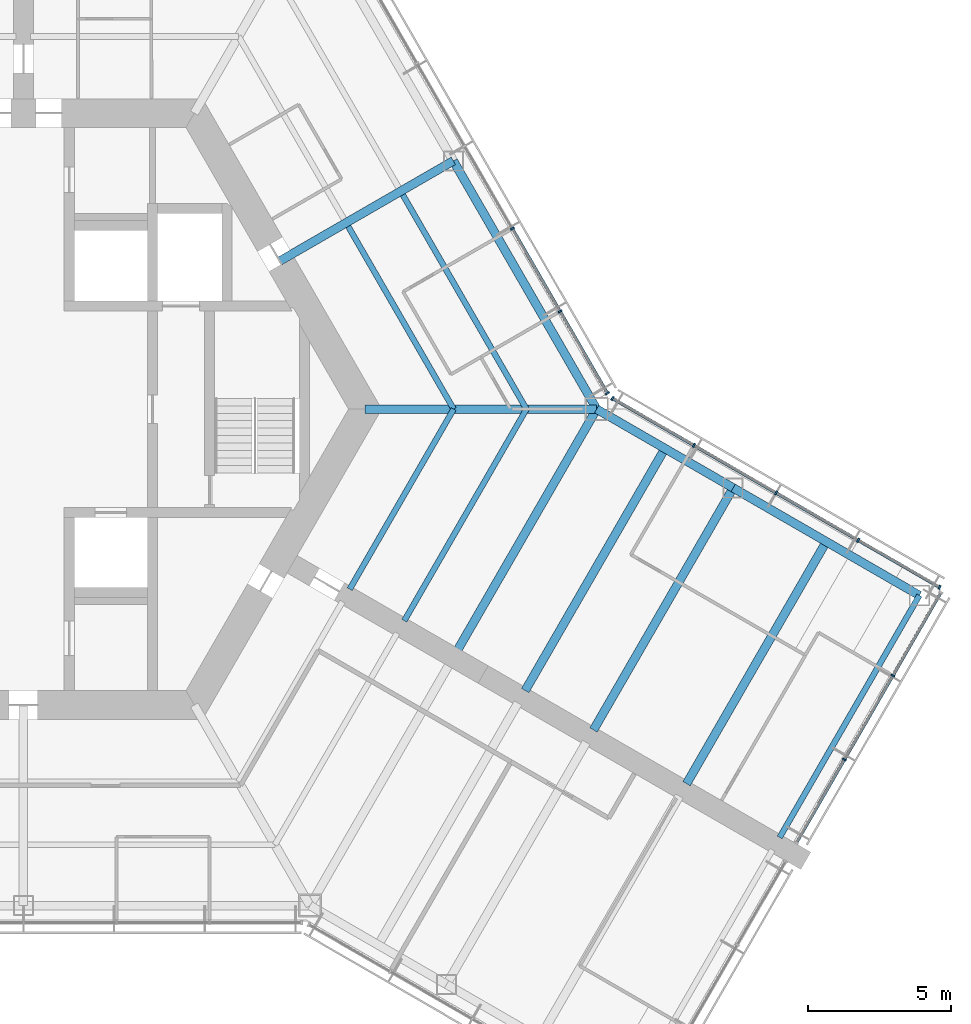
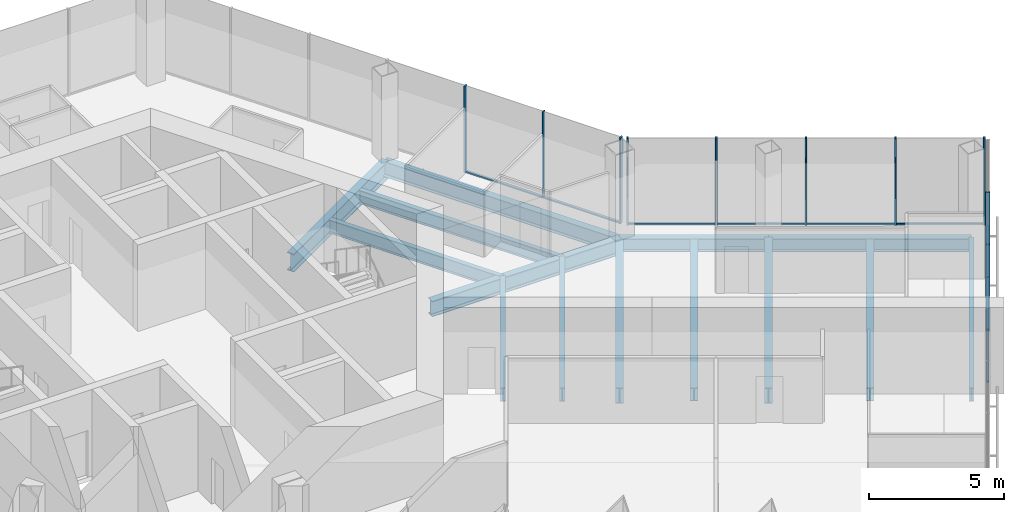
# One storey, part 6 of 18: 19 members, 14 beams, 3 elements without a shape of their own.
"""IFC4 building model written with IfcOpenShell, lengths in metres."""

from ifc_helpers import new_model, si_unit, direction, frame, origin, origin_2d, place, context, subcontext, project, spatial, rectangle, i_section, extrude, material, material_profile, profile_set, type_object, element, aggregate, save


model = new_model("IFC4")

# Units and contexts
model_context = context("Model", 3, precision=1e-05, world=origin(), true_north=direction((0.0, 1.0)))
body_context = subcontext(model_context, "Body", "Model", "MODEL_VIEW")
ifc_project = project(units=[si_unit("LENGTHUNIT", "METRE"), si_unit("AREAUNIT", "SQUARE_METRE"), si_unit("VOLUMEUNIT", "CUBIC_METRE"), si_unit("PLANEANGLEUNIT", "RADIAN"), si_unit("MASSUNIT", "GRAM", prefix="KILO")], contexts=[model_context])

# Site, building, storey
site_placement = place(None, origin())
site = spatial("IfcSite", under=ifc_project, at=site_placement, CompositionType="ELEMENT")
building_placement = place(site_placement, origin())
building = spatial("IfcBuilding", under=site, at=building_placement, Name="Kasaneha Research Tower", CompositionType="ELEMENT")
storey_placement = place(building_placement, frame((0.0, 0.0, 183.800048828125)))
storey = spatial("IfcBuildingStorey", under=building, at=storey_placement, Name="L46", CompositionType="ELEMENT", Elevation=183.800048828125)

# Beams
ifc_material_1 = material(Name="Steel SN490B", Category="steel")
ifc_material_profile_1 = material_profile(ifc_material_1, i_section(OverallWidth=0.199951171875, OverallDepth=0.60009765625, WebThickness=0.010986328125, FlangeThickness=0.01708984375, FilletRadius=0.012939453125, at=origin_2d()), Name="H-600x200x11x17")
ifc_profile_set_1 = profile_set([ifc_material_profile_1], Name="Steel SN490B")
beam_type_1 = type_object("IfcBeamType", Name="B1-3 secondary beam H-600x200x11x17", PredefinedType="JOIST", material=ifc_profile_set_1)
beam_1_placement = place(storey_placement, frame((15.010986328125, 0.0, -0.449951171875), z_axis=(-0.499994443168, 0.866028611999, 0.0), x_axis=(-0.866028611999, -0.499994443168, 0.0)))
element("IfcBeam", 1, at=beam_1_placement, inside=storey, type_object=beam_type_1, Name="Secondary beam RS030L1 L46", PredefinedType="JOIST", context=body_context, shape_type="SweptSolid", body=[
    extrude(i_section(OverallWidth=0.199951171875, OverallDepth=0.60009765625, WebThickness=0.010986328125, FlangeThickness=0.01708984375, FilletRadius=0.012939453125, at=origin_2d()), origin(), (0.0, 0.0, 1.0), 7.35546875),
])
beam_2_placement = place(storey_placement, frame((17.551513671875, 0.0, -0.449951171875), z_axis=(-0.5000050195, 0.866022505755, 0.0), x_axis=(-0.866022505755, -0.5000050195, 0.0)))
element("IfcBeam", 2, at=beam_2_placement, inside=storey, type_object=beam_type_1, Name="Secondary beam RS030L2 L46", PredefinedType="JOIST", context=body_context, shape_type="SweptSolid", body=[
    extrude(i_section(OverallWidth=0.199951171875, OverallDepth=0.60009765625, WebThickness=0.010986328125, FlangeThickness=0.01708984375, FilletRadius=0.012939453125, at=origin_2d()), origin(), (0.0, 0.0, 1.0), 8.6259765625),
])
beam_3_placement = place(storey_placement, frame((15.010986328125, 0.0, -0.449951171875), z_axis=(-0.499993340521, -0.866029248602, 0.0), x_axis=(0.866029248602, -0.499993340521, 0.0)))
element("IfcBeam", 3, at=beam_3_placement, inside=storey, type_object=beam_type_1, Name="Secondary beam RS330R1 L46", PredefinedType="JOIST", context=body_context, shape_type="SweptSolid", body=[
    extrude(i_section(OverallWidth=0.199951171875, OverallDepth=0.60009765625, WebThickness=0.010986328125, FlangeThickness=0.01708984375, FilletRadius=0.012939453125, at=origin_2d()), origin(), (0.0, 0.0, 1.0), 7.25537109375),
])
beam_4_placement = place(storey_placement, frame((17.551513671875, 0.0, -0.449951171875), z_axis=(-0.500004205306, -0.866022975836, 0.0), x_axis=(0.866022975836, -0.500004205306, 0.0)))
element("IfcBeam", 4, at=beam_4_placement, inside=storey, type_object=beam_type_1, Name="Secondary beam RS330R2 L46", PredefinedType="JOIST", context=body_context, shape_type="SweptSolid", body=[
    extrude(i_section(OverallWidth=0.199951171875, OverallDepth=0.60009765625, WebThickness=0.010986328125, FlangeThickness=0.01708984375, FilletRadius=0.012939453125, at=origin_2d()), origin(), (0.0, 0.0, 1.0), 8.52587890625),
])
ifc_material_2 = material(Name="Steel SN490B", Category="steel")
ifc_material_profile_2 = material_profile(ifc_material_2, i_section(OverallWidth=0.300048828125, OverallDepth=0.58203125, WebThickness=0.011962890625, FlangeThickness=0.01708984375, FilletRadius=0.012939453125, at=origin_2d()), Name="H-582x300x12x17")
ifc_profile_set_2 = profile_set([ifc_material_profile_2], Name="Steel SN490B")
beam_type_2 = type_object("IfcBeamType", Name="B2-3 secondary beam H-582x300x12x17", PredefinedType="JOIST", material=ifc_profile_set_2)
for number, where, z_axis, x_axis, name in (
    (5, (22.381591796875, -1.375, -0.441162109375), (-0.499995560238, -0.866027967067, 0.0), (0.866027967067, -0.499995560238, 0.0), "Secondary beam WBCN1 L46"),
    (6, (28.0107421875, -4.625, -0.441162109375), (-0.499995560238, -0.866027967067, 0.0), (0.866027967067, -0.499995560238, 0.0), "Secondary beam WBCN2 L46"),
):
    element("IfcBeam", number, at=place(storey_placement, frame(where, z_axis=z_axis, x_axis=x_axis)), inside=storey, type_object=beam_type_2, Name=name, PredefinedType="JOIST", context=body_context, shape_type="SweptSolid", body=[
        extrude(i_section(OverallWidth=0.300048828125, OverallDepth=0.58203125, WebThickness=0.011962890625, FlangeThickness=0.01708984375, FilletRadius=0.012939453125, at=origin_2d()), origin(), (0.0, 0.0, 1.0), 9.75),
    ])

# Curtain wall, members
ifc_material_3 = material(Name="Glass and aluminium", Category="aluminium")
curtain_wall_type = type_object("IfcCurtainWallType", Name="Mid-rise office curtain wall", PredefinedType="USERDEFINED", material=ifc_material_3)
curtain_wall_1_placement = place(storey_placement, origin())
curtain_wall_1 = element("IfcCurtainWall", 7, at=curtain_wall_1_placement, inside=storey, type_object=curtain_wall_type, Name="CW-O2 L46 run 04a", ObjectType="UNITISED CURTAIN WALL", PredefinedType="USERDEFINED")
ifc_material_4 = material(Name="Aluminium 6063-T6", Category="aluminium")
ifc_material_profile_3 = material_profile(ifc_material_4, rectangle(XDim=0.06005859375, YDim=0.14990234375, at=origin_2d()), Name="CW-O2 mullion 60x150")
ifc_profile_set_3 = profile_set([ifc_material_profile_3], Name="Aluminium 6063-T6")
member_type_1 = type_object("IfcMemberType", Name="CW-O2 mullion", PredefinedType="MULLION", material=ifc_profile_set_3)
member_1_placement = place(storey_placement, frame((28.64453125, -12.22705078125, 0.0), z_axis=(0.0, 0.0, 1.0), x_axis=(0.500000011442, 0.866025397178, 0.0)))
member_1 = element("IfcMember", 8, at=member_1_placement, type_object=member_type_1, Name="CW-O2 mullion 2", PredefinedType="MULLION", context=body_context, shape_type="SweptSolid", body=[
    extrude(rectangle(XDim=0.06005859375, YDim=0.14990234375, at=origin_2d()), origin(), (0.0, 0.0, 1.0), 3.89990234375),
])
member_2_placement = place(storey_placement, frame((30.336181640625, -9.297119140625, 0.0), z_axis=(0.0, 0.0, 1.0), x_axis=(0.500000011442, 0.866025397178, 0.0)))
member_2 = element("IfcMember", 9, at=member_2_placement, type_object=member_type_1, Name="CW-O2 mullion 3", PredefinedType="MULLION", context=body_context, shape_type="SweptSolid", body=[
    extrude(rectangle(XDim=0.06005859375, YDim=0.14990234375, at=origin_2d()), origin(), (0.0, 0.0, 1.0), 3.89990234375),
])

curtain_wall_2_placement = place(storey_placement, origin())
curtain_wall_2 = element("IfcCurtainWall", 10, at=curtain_wall_2_placement, inside=storey, type_object=curtain_wall_type, Name="CW-O2 L46 run 05a", ObjectType="UNITISED CURTAIN WALL", PredefinedType="USERDEFINED")
member_3_placement = place(storey_placement, frame((31.96533203125, -6.21533203125, 0.0), z_axis=(0.0, 0.0, 1.0), x_axis=(-0.866025411464, 0.499999986699, 0.0)))
member_3 = element("IfcMember", 11, at=member_3_placement, type_object=member_type_1, Name="CW-O2 mullion 1", PredefinedType="MULLION", context=body_context, shape_type="SweptSolid", body=[
    extrude(rectangle(XDim=0.06005859375, YDim=0.14990234375, at=origin_2d()), origin(), (0.0, 0.0, 1.0), 3.89990234375),
])
member_4_placement = place(storey_placement, frame((29.125, -4.575439453125, 0.0), z_axis=(0.0, 0.0, 1.0), x_axis=(-0.866025411464, 0.499999986699, 0.0)))
member_4 = element("IfcMember", 12, at=member_4_placement, type_object=member_type_1, Name="CW-O2 mullion 2", PredefinedType="MULLION", context=body_context, shape_type="SweptSolid", body=[
    extrude(rectangle(XDim=0.06005859375, YDim=0.14990234375, at=origin_2d()), origin(), (0.0, 0.0, 1.0), 3.89990234375),
])
member_5_placement = place(storey_placement, frame((26.258544921875, -2.920654296875, 0.0), z_axis=(0.0, 0.0, 1.0), x_axis=(-0.866025411464, 0.499999986699, 0.0)))
member_5 = element("IfcMember", 13, at=member_5_placement, type_object=member_type_1, Name="CW-O2 mullion 3", PredefinedType="MULLION", context=body_context, shape_type="SweptSolid", body=[
    extrude(rectangle(XDim=0.06005859375, YDim=0.14990234375, at=origin_2d()), origin(), (0.0, 0.0, 1.0), 3.89990234375),
])
member_6_placement = place(storey_placement, frame((23.39208984375, -1.265625, 0.0), z_axis=(0.0, 0.0, 1.0), x_axis=(-0.866025411464, 0.499999986699, 0.0)))
member_6 = element("IfcMember", 14, at=member_6_placement, type_object=member_type_1, Name="CW-O2 mullion 4", PredefinedType="MULLION", context=body_context, shape_type="SweptSolid", body=[
    extrude(rectangle(XDim=0.06005859375, YDim=0.14990234375, at=origin_2d()), origin(), (0.0, 0.0, 1.0), 3.89990234375),
])
member_7_placement = place(storey_placement, frame((20.5517578125, 0.374267578125, 0.0), z_axis=(0.0, 0.0, 1.0), x_axis=(-0.866025411464, 0.499999986699, 0.0)))
member_7 = element("IfcMember", 15, at=member_7_placement, type_object=member_type_1, Name="CW-O2 mullion 5", PredefinedType="MULLION", context=body_context, shape_type="SweptSolid", body=[
    extrude(rectangle(XDim=0.06005859375, YDim=0.14990234375, at=origin_2d()), origin(), (0.0, 0.0, 1.0), 3.89990234375),
])

curtain_wall_3_placement = place(storey_placement, origin())
curtain_wall_3 = element("IfcCurtainWall", 16, at=curtain_wall_3_placement, inside=storey, type_object=curtain_wall_type, Name="CW-O2 L46 run 06a", ObjectType="UNITISED CURTAIN WALL", PredefinedType="USERDEFINED")
member_8_placement = place(storey_placement, frame((20.374267578125, 0.5517578125, 0.0), z_axis=(0.0, 0.0, 1.0), x_axis=(-0.499999979232, 0.866025415775, 0.0)))
member_8 = element("IfcMember", 17, at=member_8_placement, type_object=member_type_1, Name="CW-O2 mullion 1", PredefinedType="MULLION", context=body_context, shape_type="SweptSolid", body=[
    extrude(rectangle(XDim=0.06005859375, YDim=0.14990234375, at=origin_2d()), origin(), (0.0, 0.0, 1.0), 3.89990234375),
])
member_9_placement = place(storey_placement, frame((18.723876953125, 3.410400390625, 0.0), z_axis=(0.0, 0.0, 1.0), x_axis=(-0.499999979232, 0.866025415775, 0.0)))
member_9 = element("IfcMember", 18, at=member_9_placement, type_object=member_type_1, Name="CW-O2 mullion 2", PredefinedType="MULLION", context=body_context, shape_type="SweptSolid", body=[
    extrude(rectangle(XDim=0.06005859375, YDim=0.14990234375, at=origin_2d()), origin(), (0.0, 0.0, 1.0), 3.89990234375),
])
member_10_placement = place(storey_placement, frame((17.058349609375, 6.295166015625, 0.0), z_axis=(0.0, 0.0, 1.0), x_axis=(-0.499999979232, 0.866025415775, 0.0)))
member_10 = element("IfcMember", 19, at=member_10_placement, type_object=member_type_1, Name="CW-O2 mullion 3", PredefinedType="MULLION", context=body_context, shape_type="SweptSolid", body=[
    extrude(rectangle(XDim=0.06005859375, YDim=0.14990234375, at=origin_2d()), origin(), (0.0, 0.0, 1.0), 3.89990234375),
])

# Member
ifc_material_5 = material(Name="Aluminium 6063-T6", Category="aluminium")
ifc_material_profile_4 = material_profile(ifc_material_5, rectangle(XDim=0.110107421875, YDim=0.06005859375, at=origin_2d()), Name="CW-O2 transom 110x60")
ifc_profile_set_4 = profile_set([ifc_material_profile_4], Name="Aluminium 6063-T6")
member_type_2 = type_object("IfcMemberType", Name="CW-O2 transom", PredefinedType="USERDEFINED", material=ifc_profile_set_4)
member_11_placement = place(storey_placement, frame((26.98291015625, -15.105224609375, 0.030029296875), z_axis=(0.500021914551, 0.866012751043, 0.0), x_axis=(-0.866012751043, 0.500021914551, 0.0)))
member_11 = element("IfcMember", 20, at=member_11_placement, type_object=member_type_2, Name="CW-O2 transom 1", ObjectType="TRANSOM", PredefinedType="USERDEFINED", context=body_context, shape_type="SweptSolid", body=[
    extrude(rectangle(XDim=0.110107421875, YDim=0.06005859375, at=origin_2d()), origin(), (0.0, 0.0, 1.0), 3.293212890625),
])

member_12_placement = place(storey_placement, frame((28.65966796875, -12.201171875, 0.030029296875), z_axis=(0.499978935311, 0.866037565146, 0.0), x_axis=(-0.866037565146, 0.499978935311, 0.0)))
member_12 = element("IfcMember", 21, at=member_12_placement, type_object=member_type_2, Name="CW-O2 transom 2", ObjectType="TRANSOM", PredefinedType="USERDEFINED", context=body_context, shape_type="SweptSolid", body=[
    extrude(rectangle(XDim=0.110107421875, YDim=0.06005859375, at=origin_2d()), origin(), (0.0, 0.0, 1.0), 3.323486328125),
])

member_13_placement = place(storey_placement, frame((30.351318359375, -9.27099609375, 0.030029296875), z_axis=(0.500021914551, 0.866012751043, 0.0), x_axis=(-0.866012751043, 0.500021914551, 0.0)))
member_13 = element("IfcMember", 22, at=member_13_placement, type_object=member_type_2, Name="CW-O2 transom 3", ObjectType="TRANSOM", PredefinedType="USERDEFINED", context=body_context, shape_type="SweptSolid", body=[
    extrude(rectangle(XDim=0.110107421875, YDim=0.06005859375, at=origin_2d()), origin(), (0.0, 0.0, 1.0), 3.293212890625),
])

aggregate(curtain_wall_1, [member_1, member_2, member_11, member_12, member_13])

member_14_placement = place(storey_placement, frame((31.939453125, -6.200439453125, 0.030029296875), z_axis=(-0.866041647767, 0.499971863542, 0.0), x_axis=(-0.499971863542, -0.866041647767, 0.0)))
member_14 = element("IfcMember", 23, at=member_14_placement, type_object=member_type_2, Name="CW-O2 transom 1", ObjectType="TRANSOM", PredefinedType="USERDEFINED", context=body_context, shape_type="SweptSolid", body=[
    extrude(rectangle(XDim=0.110107421875, YDim=0.06005859375, at=origin_2d()), origin(), (0.0, 0.0, 1.0), 3.219970703125),
])

member_15_placement = place(storey_placement, frame((29.098876953125, -4.560546875, 0.030029296875), z_axis=(-0.86599666273, 0.500049777664, 0.0), x_axis=(-0.500049777664, -0.86599666273, 0.0)))
member_15 = element("IfcMember", 24, at=member_15_placement, type_object=member_type_2, Name="CW-O2 transom 2", ObjectType="TRANSOM", PredefinedType="USERDEFINED", context=body_context, shape_type="SweptSolid", body=[
    extrude(rectangle(XDim=0.110107421875, YDim=0.06005859375, at=origin_2d()), origin(), (0.0, 0.0, 1.0), 3.249755859375),
])

member_16_placement = place(storey_placement, frame((26.232666015625, -2.905517578125, 0.030029296875), z_axis=(-0.86604797581, 0.499960902066, 0.0), x_axis=(-0.499960902066, -0.86604797581, 0.0)))
member_16 = element("IfcMember", 25, at=member_16_placement, type_object=member_type_2, Name="CW-O2 transom 3", ObjectType="TRANSOM", PredefinedType="USERDEFINED", context=body_context, shape_type="SweptSolid", body=[
    extrude(rectangle(XDim=0.110107421875, YDim=0.06005859375, at=origin_2d()), origin(), (0.0, 0.0, 1.0), 3.249755859375),
])

member_17_placement = place(storey_placement, frame((23.3662109375, -1.250732421875, 0.030029296875), z_axis=(-0.866022692473, 0.500004696101, 0.0), x_axis=(-0.500004696101, -0.866022692473, 0.0)))
member_17 = element("IfcMember", 26, at=member_17_placement, type_object=member_type_2, Name="CW-O2 transom 4", ObjectType="TRANSOM", PredefinedType="USERDEFINED", context=body_context, shape_type="SweptSolid", body=[
    extrude(rectangle(XDim=0.110107421875, YDim=0.06005859375, at=origin_2d()), origin(), (0.0, 0.0, 1.0), 3.2197265625),
])

aggregate(curtain_wall_2, [member_3, member_4, member_5, member_6, member_7, member_14, member_15, member_16, member_17])

member_18_placement = place(storey_placement, frame((20.359130859375, 0.577880859375, 0.030029296875), z_axis=(-0.499987643696, 0.866032537582, 0.0), x_axis=(-0.866032537582, -0.499987643696, 0.0)))
member_18 = element("IfcMember", 27, at=member_18_placement, type_object=member_type_2, Name="CW-O2 transom 1", ObjectType="TRANSOM", PredefinedType="USERDEFINED", context=body_context, shape_type="SweptSolid", body=[
    extrude(rectangle(XDim=0.110107421875, YDim=0.06005859375, at=origin_2d()), origin(), (0.0, 0.0, 1.0), 3.24072265625),
])

member_19_placement = place(storey_placement, frame((18.708740234375, 3.4365234375, 0.030029296875), z_axis=(-0.500000270186, 0.866025247793, 0.0), x_axis=(-0.866025247793, -0.500000270186, 0.0)))
member_19 = element("IfcMember", 28, at=member_19_placement, type_object=member_type_2, Name="CW-O2 transom 2", ObjectType="TRANSOM", PredefinedType="USERDEFINED", context=body_context, shape_type="SweptSolid", body=[
    extrude(rectangle(XDim=0.110107421875, YDim=0.06005859375, at=origin_2d()), origin(), (0.0, 0.0, 1.0), 3.27099609375),
])

aggregate(curtain_wall_3, [member_8, member_9, member_10, member_18, member_19])

# Beams
ifc_material_6 = material(Name="Steel SN490B", Category="steel")
ifc_material_profile_5 = material_profile(ifc_material_6, i_section(OverallWidth=0.300048828125, OverallDepth=0.699951171875, WebThickness=0.012939453125, FlangeThickness=0.02392578125, FilletRadius=0.01806640625, at=origin_2d()), Name="H-700x300x13x24")
ifc_profile_set_5 = profile_set([ifc_material_profile_5], Name="Steel SN490B")
beam_type_3 = type_object("IfcBeamType", Name="G1-3 radial girder H-700x300x13x24", PredefinedType="BEAM", material=ifc_profile_set_5)
beam_5_placement = place(storey_placement, frame((11.92236328125, 0.0, -0.5), z_axis=(1.0, 0.0, 0.0), x_axis=(0.0, 1.0, 0.0)))
element("IfcBeam", 29, at=beam_5_placement, inside=storey, type_object=beam_type_3, Name="Radial girder RV000 L46", PredefinedType="BEAM", context=body_context, shape_type="SweptSolid", body=[
    extrude(i_section(OverallWidth=0.300048828125, OverallDepth=0.699951171875, WebThickness=0.012939453125, FlangeThickness=0.02392578125, FilletRadius=0.01806640625, at=origin_2d()), origin(), (0.0, 0.0, 1.0), 8.07763671875),
])
ifc_material_7 = material(Name="Steel SN490B", Category="steel")
ifc_material_profile_6 = material_profile(ifc_material_7, i_section(OverallWidth=0.300048828125, OverallDepth=0.800048828125, WebThickness=0.013916015625, FlangeThickness=0.02587890625, FilletRadius=0.01806640625, at=origin_2d()), Name="H-800x300x14x26")
ifc_profile_set_6 = profile_set([ifc_material_profile_6], Name="Steel SN490B")
beam_type_4 = type_object("IfcBeamType", Name="G2-3 radial girder H-800x300x14x26", PredefinedType="BEAM", material=ifc_profile_set_6)
beam_6_placement = place(storey_placement, frame((8.941650390625, 5.16259765625, -0.550048828125), z_axis=(0.866039713508, 0.499975214012, 0.0), x_axis=(-0.499975214012, 0.866039713508, 0.0)))
element("IfcBeam", 30, at=beam_6_placement, inside=storey, type_object=beam_type_4, Name="Radial girder RM030 L46", PredefinedType="BEAM", context=body_context, shape_type="SweptSolid", body=[
    extrude(i_section(OverallWidth=0.300048828125, OverallDepth=0.800048828125, WebThickness=0.013916015625, FlangeThickness=0.02587890625, FilletRadius=0.01806640625, at=origin_2d()), origin(), (0.0, 0.0, 1.0), 6.995361328125),
])
ifc_material_8 = material(Name="Steel SN490B", Category="steel")
ifc_material_profile_7 = material_profile(ifc_material_8, i_section(OverallWidth=0.300048828125, OverallDepth=0.69189453125, WebThickness=0.012939453125, FlangeThickness=0.02001953125, FilletRadius=0.01806640625, at=origin_2d()), Name="H-692x300x13x20")
ifc_profile_set_7 = profile_set([ifc_material_profile_7], Name="Steel SN490B")
beam_type_5 = type_object("IfcBeamType", Name="G3-3 plate edge girder H-692x300x13x20", PredefinedType="BEAM", material=ifc_profile_set_7)
beam_7_placement = place(storey_placement, frame((20.0, 0.0, -0.49609375), z_axis=(-0.499995560238, -0.866027967067, 0.0), x_axis=(0.866027967067, -0.499995560238, 0.0)))
element("IfcBeam", 31, at=beam_7_placement, inside=storey, type_object=beam_type_5, Name="Plate edge girder PECN L46", PredefinedType="BEAM", context=body_context, shape_type="SweptSolid", body=[
    extrude(i_section(OverallWidth=0.300048828125, OverallDepth=0.69189453125, WebThickness=0.012939453125, FlangeThickness=0.02001953125, FilletRadius=0.01806640625, at=origin_2d()), origin(), (0.0, 0.0, 1.0), 9.75),
])
ifc_material_9 = material(Name="Steel SN490B", Category="steel")
ifc_material_profile_8 = material_profile(ifc_material_9, i_section(OverallWidth=0.300048828125, OverallDepth=0.699951171875, WebThickness=0.012939453125, FlangeThickness=0.02392578125, FilletRadius=0.01806640625, at=origin_2d()), Name="H-700x300x13x24")
ifc_profile_set_8 = profile_set([ifc_material_profile_8], Name="Steel SN490B")
beam_type_6 = type_object("IfcBeamType", Name="G4-3 wing girder H-700x300x13x24", PredefinedType="BEAM", material=ifc_profile_set_8)
beam_8_placement = place(storey_placement, frame((24.76318359375, -2.75, -0.5), z_axis=(-0.499995560238, -0.866027967067, 0.0), x_axis=(0.866027967067, -0.499995560238, 0.0)))
element("IfcBeam", 32, at=beam_8_placement, inside=storey, type_object=beam_type_6, Name="Wing girder WGCN L46", PredefinedType="BEAM", context=body_context, shape_type="SweptSolid", body=[
    extrude(i_section(OverallWidth=0.300048828125, OverallDepth=0.699951171875, WebThickness=0.012939453125, FlangeThickness=0.02392578125, FilletRadius=0.01806640625, at=origin_2d()), origin(), (0.0, 0.0, 1.0), 9.75),
])
ifc_material_10 = material(Name="Steel SN490B", Category="steel")
ifc_material_profile_9 = material_profile(ifc_material_10, i_section(OverallWidth=0.300048828125, OverallDepth=0.69189453125, WebThickness=0.012939453125, FlangeThickness=0.02001953125, FilletRadius=0.01806640625, at=origin_2d()), Name="H-692x300x13x20")
ifc_profile_set_9 = profile_set([ifc_material_profile_9], Name="Steel SN490B")
beam_type_7 = type_object("IfcBeamType", Name="SB1-3 spandrel beam H-692x300x13x20", PredefinedType="SPANDREL", material=ifc_profile_set_9)
beam_9_placement = place(storey_placement, frame((20.0, 0.0, -0.49609375), z_axis=(-0.500004234368, 0.866022959057, 0.0), x_axis=(-0.866022959057, -0.500004234368, 0.0)))
element("IfcBeam", 33, at=beam_9_placement, inside=storey, type_object=beam_type_7, Name="Spandrel beam SR030L L46", PredefinedType="SPANDREL", context=body_context, shape_type="SweptSolid", body=[
    extrude(i_section(OverallWidth=0.300048828125, OverallDepth=0.69189453125, WebThickness=0.012939453125, FlangeThickness=0.02001953125, FilletRadius=0.01806640625, at=origin_2d()), origin(), (0.0, 0.0, 1.0), 10.0),
])
ifc_material_11 = material(Name="Steel SN490B", Category="steel")
ifc_material_profile_10 = material_profile(ifc_material_11, i_section(OverallWidth=0.300048828125, OverallDepth=0.58203125, WebThickness=0.011962890625, FlangeThickness=0.01708984375, FilletRadius=0.012939453125, at=origin_2d()), Name="H-582x300x12x17")
ifc_profile_set_10 = profile_set([ifc_material_profile_10], Name="Steel SN490B")
beam_type_8 = type_object("IfcBeamType", Name="SB2-3 spandrel beam H-582x300x12x17", PredefinedType="SPANDREL", material=ifc_profile_set_10)
beam_10_placement = place(storey_placement, frame((20.0, 0.0, -0.441162109375), z_axis=(0.866027397988, -0.499996545922, 0.0), x_axis=(0.499996545922, 0.866027397988, 0.0)))
element("IfcBeam", 34, at=beam_10_placement, inside=storey, type_object=beam_type_8, Name="Spandrel beam WSCN1 L46", PredefinedType="SPANDREL", context=body_context, shape_type="SweptSolid", body=[
    extrude(i_section(OverallWidth=0.300048828125, OverallDepth=0.58203125, WebThickness=0.011962890625, FlangeThickness=0.01708984375, FilletRadius=0.012939453125, at=origin_2d()), origin(), (0.0, 0.0, 1.0), 5.5),
])
beam_11_placement = place(storey_placement, frame((24.76318359375, -2.75, -0.441162109375), z_axis=(0.866022959057, -0.500004234368, 0.0), x_axis=(0.500004234368, 0.866022959057, 0.0)))
element("IfcBeam", 35, at=beam_11_placement, inside=storey, type_object=beam_type_8, Name="Spandrel beam WSCN2 L46", PredefinedType="SPANDREL", context=body_context, shape_type="SweptSolid", body=[
    extrude(i_section(OverallWidth=0.300048828125, OverallDepth=0.58203125, WebThickness=0.011962890625, FlangeThickness=0.01708984375, FilletRadius=0.012939453125, at=origin_2d()), origin(), (0.0, 0.0, 1.0), 7.5),
])
ifc_material_12 = material(Name="Steel SN490B", Category="steel")
ifc_material_profile_11 = material_profile(ifc_material_12, i_section(OverallWidth=0.199951171875, OverallDepth=0.60009765625, WebThickness=0.010986328125, FlangeThickness=0.01708984375, FilletRadius=0.012939453125, at=origin_2d()), Name="H-600x200x11x17")
ifc_profile_set_11 = profile_set([ifc_material_profile_11], Name="Steel SN490B")
beam_type_9 = type_object("IfcBeamType", Name="SB3-3 spandrel beam H-600x200x11x17", PredefinedType="SPANDREL", material=ifc_profile_set_11)
beam_12_placement = place(storey_placement, frame((31.25830078125, -6.5, -0.449951171875), z_axis=(-0.499995560238, -0.866027967067, 0.0), x_axis=(0.866027967067, -0.499995560238, 0.0)))
element("IfcBeam", 36, at=beam_12_placement, inside=storey, type_object=beam_type_9, Name="Spandrel beam WTCN L46", PredefinedType="SPANDREL", context=body_context, shape_type="SweptSolid", body=[
    extrude(i_section(OverallWidth=0.199951171875, OverallDepth=0.60009765625, WebThickness=0.010986328125, FlangeThickness=0.01708984375, FilletRadius=0.012939453125, at=origin_2d()), origin(), (0.0, 0.0, 1.0), 9.75),
])

save(model, "model.ifc")
